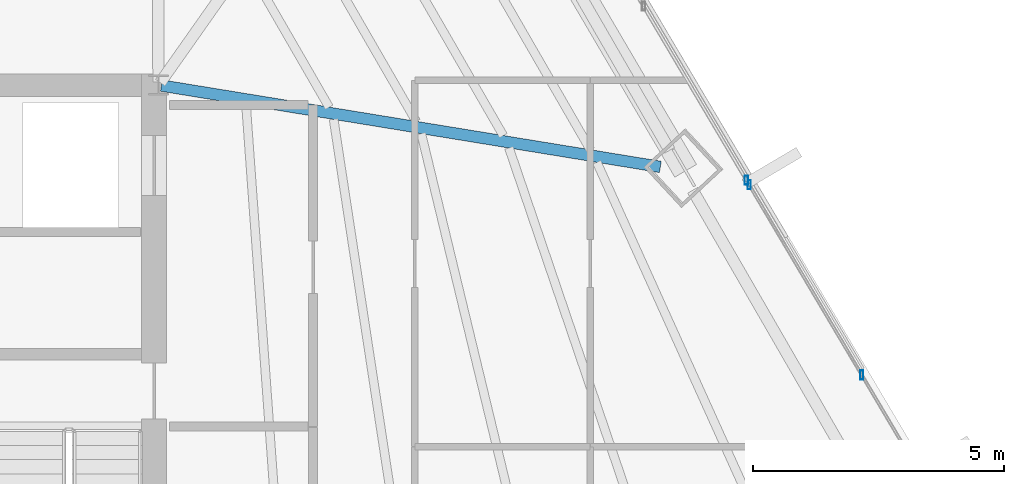
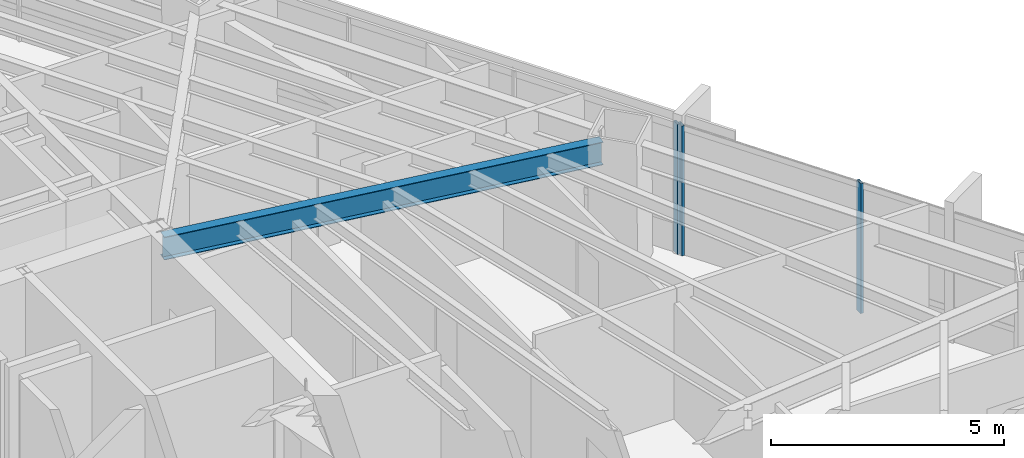
# One storey, part 21 of 37: 3 members, 1 beam, 2 elements without a shape of their own.
"""IFC4 building model written with IfcOpenShell, lengths in metres."""

from ifc_helpers import new_model, si_unit, direction, frame, origin, origin_2d, place, context, subcontext, project, spatial, hollow_rectangle, i_section, extrude, source, transform, mapped, material, material_profile, profile_set, type_object, type_shapes, element, aggregate, save


model = new_model("IFC4")

# Units and contexts
model_context = context("Model", 3, precision=1e-05, world=origin(), true_north=direction((0.0, 1.0)))
body_context = subcontext(model_context, "Body", "Model", "MODEL_VIEW")
ifc_project = project(units=[si_unit("LENGTHUNIT", "METRE"), si_unit("AREAUNIT", "SQUARE_METRE"), si_unit("VOLUMEUNIT", "CUBIC_METRE"), si_unit("PLANEANGLEUNIT", "RADIAN"), si_unit("MASSUNIT", "GRAM", prefix="KILO")], contexts=[model_context])

# Site, building, storey
site_placement = place(None, origin())
site = spatial("IfcSite", under=ifc_project, at=site_placement, CompositionType="ELEMENT")
building_placement = place(site_placement, origin())
building = spatial("IfcBuilding", under=site, at=building_placement, Name="Caelisora Broadcast Tower", CompositionType="ELEMENT")
storey_placement = place(building_placement, frame((0.0, 0.0, 101.75)))
storey = spatial("IfcBuildingStorey", under=building, at=storey_placement, Name="L26", CompositionType="ELEMENT", Elevation=101.75)

# Beam
ifc_material_1 = material(Name="Steel Grade 350 (AS/NZS 3679.1)", Category="steel")
ifc_material_profile_1 = material_profile(ifc_material_1, i_section(OverallWidth=0.22802734375, OverallDepth=0.602294921875, WebThickness=0.010498046875, FlangeThickness=0.014892578125, at=origin_2d()), Name="Steel Grade 350 (AS/NZS 3679.1)")
ifc_profile_set_1 = profile_set([ifc_material_profile_1], Name="Steel Grade 350 (AS/NZS 3679.1)")
beam_type = type_object("IfcBeamType", Name="PG04", PredefinedType="BEAM", material=ifc_profile_set_1)
shared_shape_1 = source(origin(), body_context, "Body", "SweptSolid", [
    extrude(i_section(OverallWidth=0.22802734375, OverallDepth=0.602294921875, WebThickness=0.010498046875, FlangeThickness=0.014892578125, at=origin_2d()), origin(), (0.0, 0.0, 1.0), 10.06396484375),
])
type_shapes(beam_type, [shared_shape_1])
beam_placement = place(storey_placement, frame((45.55908203125, 29.990234375, 3.098876953125), z_axis=(0.986965454837, -0.160932255804, 0.0), x_axis=(0.160932255804, 0.986965454837, 0.0)))
element("IfcBeam", 1, at=beam_placement, inside=storey, type_object=beam_type, Name="L26 beam PG04", PredefinedType="BEAM", context=body_context, shape_type="MappedRepresentation", body=[
    mapped(shared_shape_1, transform((0.0, 0.0, 0.0), scale=1.0)),
])

# Curtain wall, member
ifc_material_2 = material(Name="Unitised Aluminium Insulated Shadow-Box Spandrel Curtain Wall", Category="aluminium")
curtain_wall_type_1 = type_object("IfcCurtainWallType", Name="CW-SP1", PredefinedType="NOTDEFINED", material=ifc_material_2)
curtain_wall_1_placement = place(storey_placement, origin())
curtain_wall_1 = element("IfcCurtainWall", 2, at=curtain_wall_1_placement, inside=storey, type_object=curtain_wall_type_1, Name="L26 curtain wall CW-SP1", PredefinedType="NOTDEFINED")
ifc_material_3 = material(Name="Aluminium 6063-T6 Anodised Terracotta Bronze", Category="aluminium")
ifc_material_profile_2 = material_profile(ifc_material_3, hollow_rectangle(XDim=0.06494140625, YDim=0.179931640625, WallThickness=0.00341796875, at=origin_2d()), Name="Aluminium 6063-T6 Anodised Terracotta Bronze")
ifc_profile_set_2 = profile_set([ifc_material_profile_2], Name="Aluminium 6063-T6 Anodised Terracotta Bronze")
member_type = type_object("IfcMemberType", Name="CWM-02", PredefinedType="MULLION", material=ifc_profile_set_2)
shared_shape_2 = source(origin(), body_context, "Body", "SweptSolid", [
    extrude(hollow_rectangle(XDim=0.06494140625, YDim=0.179931640625, WallThickness=0.00341796875, at=origin_2d()), origin(), (0.0, 0.0, 1.0), 3.39990234375),
])
type_shapes(member_type, [shared_shape_2])
member_1_placement = place(storey_placement, frame((57.2060546875, 28.1083984375, 0.0), z_axis=(0.0, 0.0, 1.0), x_axis=(1.0, 0.0, 0.0)))
member_1 = element("IfcMember", 3, at=member_1_placement, type_object=member_type, Name="L26-CW-B02 mullion #3", PredefinedType="MULLION", context=body_context, shape_type="MappedRepresentation", body=[
    mapped(shared_shape_2, transform((0.0, 0.0, 0.0), scale=1.0)),
])
aggregate(curtain_wall_1, [member_1])

# Curtain wall, members
ifc_material_4 = material(Name="Unitised Aluminium and Low-E Glass Curtain Wall", Category="glass")
curtain_wall_type_2 = type_object("IfcCurtainWallType", Name="CW-Z2", PredefinedType="NOTDEFINED", material=ifc_material_4)
curtain_wall_2_placement = place(storey_placement, origin())
curtain_wall_2 = element("IfcCurtainWall", 4, at=curtain_wall_2_placement, inside=storey, type_object=curtain_wall_type_2, Name="L26 curtain wall CW-Z2", PredefinedType="NOTDEFINED")
member_2_placement = place(storey_placement, frame((57.261962890625, 28.013916015625, 0.0), z_axis=(0.0, 0.0, 1.0), x_axis=(1.0, 0.0, 0.0)))
member_2 = element("IfcMember", 5, at=member_2_placement, type_object=member_type, Name="L26-CW-B03 mullion #0", PredefinedType="MULLION", context=body_context, shape_type="MappedRepresentation", body=[
    mapped(shared_shape_2, transform((0.0, 0.0, 0.0), scale=1.0)),
])
member_3_placement = place(storey_placement, frame((59.503662109375, 24.227294921875, 0.0), z_axis=(0.0, 0.0, 1.0), x_axis=(1.0, 0.0, 0.0)))
member_3 = element("IfcMember", 6, at=member_3_placement, type_object=member_type, Name="L26-CW-B03 mullion #1", PredefinedType="MULLION", context=body_context, shape_type="MappedRepresentation", body=[
    mapped(shared_shape_2, transform((0.0, 0.0, 0.0), scale=1.0)),
])
aggregate(curtain_wall_2, [member_2, member_3])

save(model, "model.ifc")
